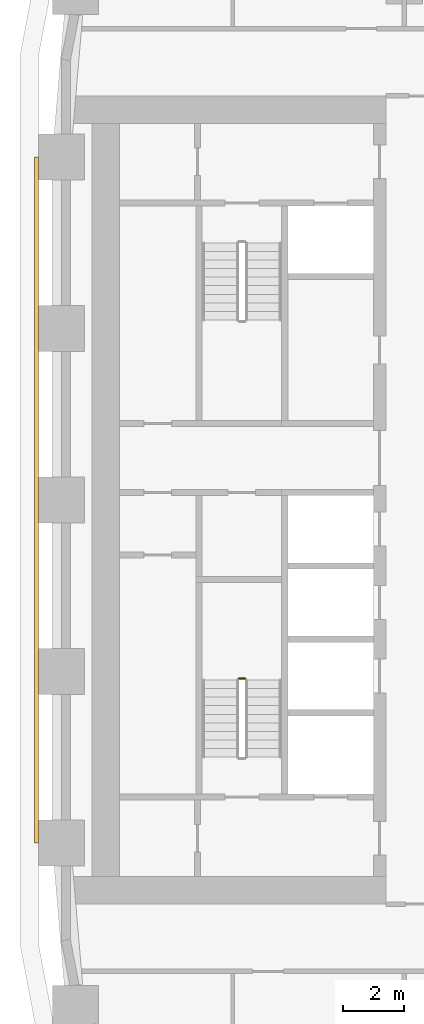
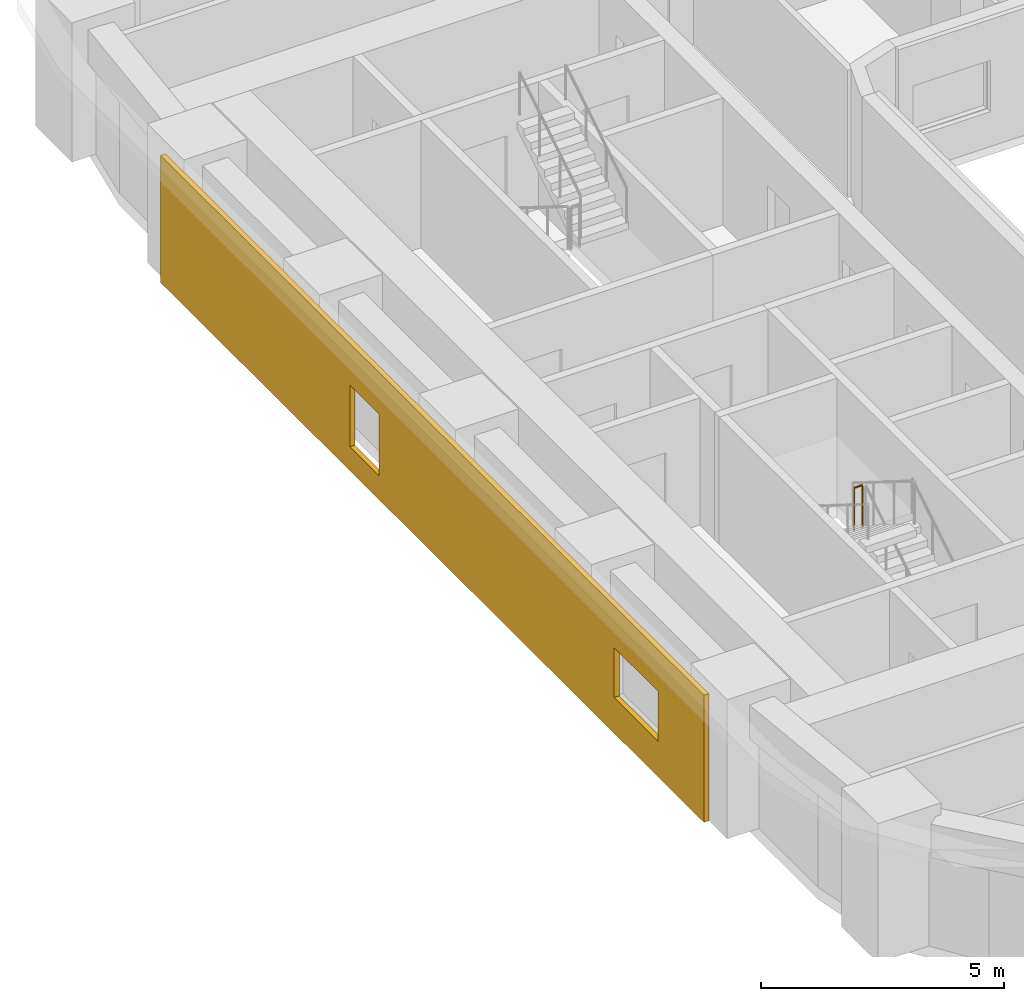
# One storey, part 12 of 20: 1 covering, 1 railing.
"""IFC4 building model written with IfcOpenShell, lengths in metres."""

from ifc_helpers import new_model, si_unit, direction, frame, origin, origin_2d, place, context, subcontext, project, spatial, polyline, circle, outline, extrude, material, layer, layer_set, type_object, element, save


model = new_model("IFC4")

# Units and contexts
model_context = context("Model", 3, precision=1e-05, world=origin(), true_north=direction((0.0, 1.0)))
body_context = subcontext(model_context, "Body", "Model", "MODEL_VIEW")
ifc_project = project(units=[si_unit("LENGTHUNIT", "METRE"), si_unit("AREAUNIT", "SQUARE_METRE"), si_unit("VOLUMEUNIT", "CUBIC_METRE"), si_unit("PLANEANGLEUNIT", "RADIAN"), si_unit("MASSUNIT", "GRAM", prefix="KILO")], contexts=[model_context])

# Site, building, storey
site_placement = place(None, origin())
site = spatial("IfcSite", under=ifc_project, at=site_placement, CompositionType="ELEMENT")
building_placement = place(site_placement, origin())
building = spatial("IfcBuilding", under=site, at=building_placement, Name="Kiln Ring Residences", CompositionType="ELEMENT")
storey_placement = place(building_placement, frame((0.0, 0.0, 37.5)))
storey = spatial("IfcBuildingStorey", under=building, at=storey_placement, Name="L08", CompositionType="ELEMENT", Elevation=37.5)

# Railing
ifc_material_1 = material(Name="Stainless steel", Category="steel")
railing_type = type_object("IfcRailingType", Name="CORE-STAIR-GUARD", PredefinedType="GUARDRAIL", material=ifc_material_1)
railing_placement = place(storey_placement, frame((-22.0, -5.830078125, 1.75)))
element("IfcRailing", 1, at=railing_placement, inside=storey, type_object=railing_type, Name="L08 W-STS stair guard 2", PredefinedType="GUARDRAIL", context=body_context, shape_type="SweptSolid", body=[
    extrude(circle(Radius=0.02392578125, at=origin_2d()), frame((0.0, 0.0, 1.076171875), z_axis=(-1.0, 0.0, 0.0), x_axis=(0.0, -1.0, 0.0)), (0.0, 0.0, 1.0), 0.199951171875),
    extrude(circle(Radius=0.02099609375, at=origin_2d()), origin(), (0.0, 0.0, 1.0), 1.052001953125),
    extrude(circle(Radius=0.02099609375, at=origin_2d()), frame((-0.199951171875, 0.0, 0.0)), (0.0, 0.0, 1.0), 1.052001953125),
])

# Covering
ifc_material_2 = material(Name="Brick masonry, dark clay brick", Category="masonry")
ifc_layer = layer(ifc_material_2, 0.1201171875)
ifc_layer_set = layer_set([ifc_layer], Name="RAINSCREEN PANEL 120")
covering_type = type_object("IfcCoveringType", Name="RAINSCREEN PANEL 120", PredefinedType="CLADDING", material=ifc_layer_set)
covering_placement = place(storey_placement, frame((-28.81005859375, 11.199951171875, 0.0), z_axis=(0.0, 0.0, 1.0), x_axis=(0.0, -1.0, 0.0)))
element("IfcCovering", 2, at=covering_placement, inside=storey, type_object=covering_type, Name="RAINSCREEN L08", PredefinedType="CLADDING", context=body_context, shape_type="SweptSolid", body=[
    extrude(outline(polyline([(0.0, 0.0), (22.39990234375, 0.0), (22.39990234375, 3.199951171875), (0.0, 3.199951171875), (0.0, 0.0)]), holes=[polyline([(9.0, 2.14990234375), (7.800048828125, 2.14990234375), (7.800048828125, 0.60009765625), (9.0, 0.60009765625), (9.0, 2.14990234375)]), polyline([(20.5, 2.14990234375), (18.699951171875, 2.14990234375), (18.699951171875, 0.89990234375), (20.5, 0.89990234375), (20.5, 2.14990234375)])]), frame((0.0, 0.06005859375, 0.0), z_axis=(0.0, -1.0, 0.0), x_axis=(1.0, 0.0, 0.0)), (0.0, 0.0, 1.0), 0.1201171875),
])

save(model, "model.ifc")
